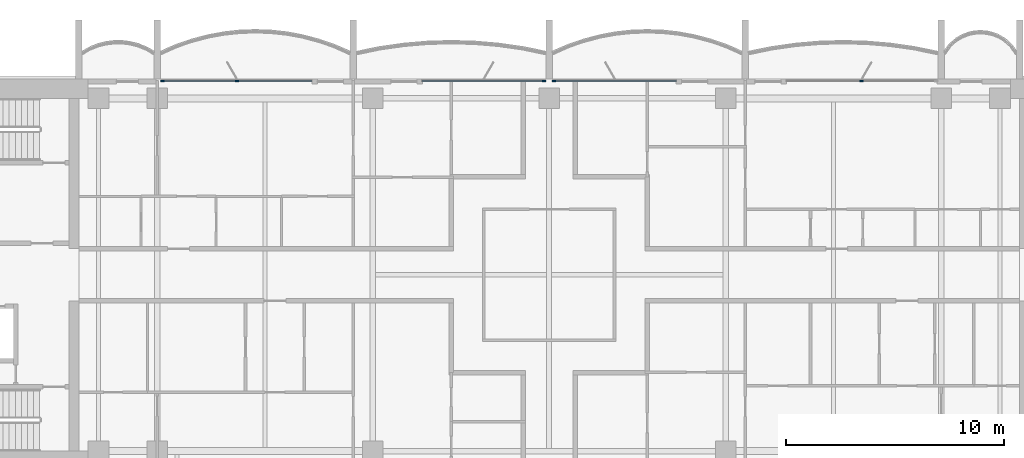
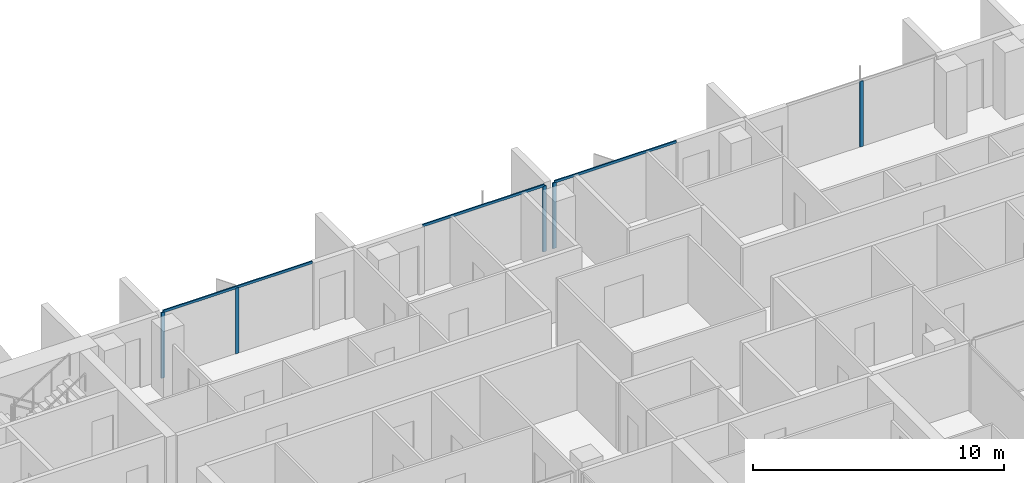
# One storey, part 5 of 17: 8 members, 4 elements without a shape of their own.
"""IFC4 building model written with IfcOpenShell, lengths in metres."""

from ifc_helpers import new_model, si_unit, direction, frame, origin, origin_2d, place, context, subcontext, project, spatial, rectangle, extrude, material, material_profile, profile_set, type_object, element, aggregate, save


model = new_model("IFC4")

# Units and contexts
model_context = context("Model", 3, precision=1e-05, world=origin(), true_north=direction((0.0, 1.0)))
body_context = subcontext(model_context, "Body", "Model", "MODEL_VIEW")
ifc_project = project(units=[si_unit("LENGTHUNIT", "METRE"), si_unit("AREAUNIT", "SQUARE_METRE"), si_unit("VOLUMEUNIT", "CUBIC_METRE"), si_unit("PLANEANGLEUNIT", "RADIAN"), si_unit("MASSUNIT", "GRAM", prefix="KILO")], contexts=[model_context])

# Site, building, storey
site_placement = place(None, origin())
site = spatial("IfcSite", under=ifc_project, at=site_placement, CompositionType="ELEMENT")
building_placement = place(site_placement, origin())
building = spatial("IfcBuilding", under=site, at=building_placement, Name="Perihelion Cross Residences", CompositionType="ELEMENT")
storey_placement = place(building_placement, frame((0.0, 0.0, 208.60009765625)))
storey = spatial("IfcBuildingStorey", under=building, at=storey_placement, Name="L52", CompositionType="ELEMENT", Elevation=208.60009765625)

# Curtain wall, member
ifc_material_1 = material(Name="Bronze anodised aluminium, tinted glazing", Category="aluminium")
curtain_wall_type = type_object("IfcCurtainWallType", Name="CW1", PredefinedType="NOTDEFINED", material=ifc_material_1)
curtain_wall_1_placement = place(storey_placement, origin())
curtain_wall_1 = element("IfcCurtainWall", 1, at=curtain_wall_1_placement, inside=storey, type_object=curtain_wall_type, Name="Curtain wall CW1 L52 east side north bay 2", PredefinedType="NOTDEFINED")
ifc_material_2 = material(Name="Bronze anodised aluminium", Category="aluminium")
ifc_material_profile_1 = material_profile(ifc_material_2, rectangle(XDim=0.06005859375, YDim=0.159912109375, at=origin_2d()), Name="CW1 mullion")
ifc_profile_set_1 = profile_set([ifc_material_profile_1], Name="Bronze anodised aluminium")
member_type_1 = type_object("IfcMemberType", Name="CW1 mullion", PredefinedType="MULLION", material=ifc_profile_set_1)
member_1_placement = place(storey_placement, frame((14.35009765625, 8.89990234375, 0.0), z_axis=(0.0, 0.0, 1.0), x_axis=(0.0, -1.0, 0.0)))
member_1 = element("IfcMember", 2, at=member_1_placement, type_object=member_type_1, Name="CW1 mullion 2", PredefinedType="MULLION", context=body_context, shape_type="SweptSolid", body=[
    extrude(rectangle(XDim=0.06005859375, YDim=0.159912109375, at=origin_2d()), origin(), (0.0, 0.0, 1.0), 3.18994140625),
])
aggregate(curtain_wall_1, [member_1])

curtain_wall_2_placement = place(storey_placement, origin())
curtain_wall_2 = element("IfcCurtainWall", 3, at=curtain_wall_2_placement, inside=storey, type_object=curtain_wall_type, Name="Curtain wall CW1 L52 north side east bay 1", PredefinedType="NOTDEFINED")
member_2_placement = place(storey_placement, frame((0.22998046875, 8.89990234375, 0.0), z_axis=(0.0, 0.0, 1.0), x_axis=(0.0, -1.0, 0.0)))
member_2 = element("IfcMember", 4, at=member_2_placement, type_object=member_type_1, Name="CW1 mullion 2", PredefinedType="MULLION", context=body_context, shape_type="SweptSolid", body=[
    extrude(rectangle(XDim=0.06005859375, YDim=0.159912109375, at=origin_2d()), origin(), (0.0, 0.0, 1.0), 3.18994140625),
])

curtain_wall_3_placement = place(storey_placement, origin())
curtain_wall_3 = element("IfcCurtainWall", 5, at=curtain_wall_3_placement, inside=storey, type_object=curtain_wall_type, Name="Curtain wall CW1 L52 north side east bay 2", PredefinedType="NOTDEFINED")
member_3_placement = place(storey_placement, frame((-0.22998046875, 8.89990234375, 0.0), z_axis=(0.0, 0.0, 1.0), x_axis=(0.0, -1.0, 0.0)))
member_3 = element("IfcMember", 6, at=member_3_placement, type_object=member_type_1, Name="CW1 mullion 1", PredefinedType="MULLION", context=body_context, shape_type="SweptSolid", body=[
    extrude(rectangle(XDim=0.06005859375, YDim=0.159912109375, at=origin_2d()), origin(), (0.0, 0.0, 1.0), 3.18994140625),
])

# Curtain wall, members
curtain_wall_4_placement = place(storey_placement, origin())
curtain_wall_4 = element("IfcCurtainWall", 7, at=curtain_wall_4_placement, inside=storey, type_object=curtain_wall_type, Name="Curtain wall CW1 L52 west side north bay 1", PredefinedType="NOTDEFINED")
member_4_placement = place(storey_placement, frame((-14.35009765625, 8.89990234375, 0.0), z_axis=(0.0, 0.0, 1.0), x_axis=(0.0, -1.0, 0.0)))
member_4 = element("IfcMember", 8, at=member_4_placement, type_object=member_type_1, Name="CW1 mullion 2", PredefinedType="MULLION", context=body_context, shape_type="SweptSolid", body=[
    extrude(rectangle(XDim=0.06005859375, YDim=0.159912109375, at=origin_2d()), origin(), (0.0, 0.0, 1.0), 3.18994140625),
])
member_5_placement = place(storey_placement, frame((-17.77001953125, 8.89990234375, 0.0), z_axis=(0.0, 0.0, 1.0), x_axis=(0.0, -1.0, 0.0)))
member_5 = element("IfcMember", 9, at=member_5_placement, type_object=member_type_1, Name="CW1 mullion 3", PredefinedType="MULLION", context=body_context, shape_type="SweptSolid", body=[
    extrude(rectangle(XDim=0.06005859375, YDim=0.159912109375, at=origin_2d()), origin(), (0.0, 0.0, 1.0), 3.18994140625),
])

# Member
ifc_material_3 = material(Name="Bronze anodised aluminium", Category="aluminium")
ifc_material_profile_2 = material_profile(ifc_material_3, rectangle(XDim=0.06005859375, YDim=0.1201171875, at=origin_2d()), Name="CW1 transom")
ifc_profile_set_2 = profile_set([ifc_material_profile_2], Name="Bronze anodised aluminium")
member_type_2 = type_object("IfcMemberType", Name="CW1 transom", PredefinedType="USERDEFINED", material=ifc_profile_set_2)
member_6_placement = place(storey_placement, frame((5.824951171875, 8.89990234375, 3.219970703125), z_axis=(-1.0, 0.0, 0.0), x_axis=(0.0, -1.0, 0.0)))
member_6 = element("IfcMember", 10, at=member_6_placement, type_object=member_type_2, Name="CW1 head transom", ObjectType="TRANSOM", PredefinedType="USERDEFINED", context=body_context, shape_type="SweptSolid", body=[
    extrude(rectangle(XDim=0.06005859375, YDim=0.1201171875, at=origin_2d()), origin(), (0.0, 0.0, 1.0), 5.594970703125),
])

aggregate(curtain_wall_2, [member_2, member_6])

member_7_placement = place(storey_placement, frame((-0.22998046875, 8.89990234375, 3.219970703125), z_axis=(-1.0, 0.0, 0.0), x_axis=(0.0, -1.0, 0.0)))
member_7 = element("IfcMember", 11, at=member_7_placement, type_object=member_type_2, Name="CW1 head transom", ObjectType="TRANSOM", PredefinedType="USERDEFINED", context=body_context, shape_type="SweptSolid", body=[
    extrude(rectangle(XDim=0.06005859375, YDim=0.1201171875, at=origin_2d()), origin(), (0.0, 0.0, 1.0), 5.594970703125),
])

aggregate(curtain_wall_3, [member_3, member_7])

member_8_placement = place(storey_placement, frame((-10.89990234375, 8.89990234375, 3.219970703125), z_axis=(-1.0, 0.0, 0.0), x_axis=(0.0, -1.0, 0.0)))
member_8 = element("IfcMember", 12, at=member_8_placement, type_object=member_type_2, Name="CW1 head transom", ObjectType="TRANSOM", PredefinedType="USERDEFINED", context=body_context, shape_type="SweptSolid", body=[
    extrude(rectangle(XDim=0.06005859375, YDim=0.1201171875, at=origin_2d()), origin(), (0.0, 0.0, 1.0), 6.8701171875),
])

aggregate(curtain_wall_4, [member_4, member_5, member_8])

save(model, "model.ifc")
